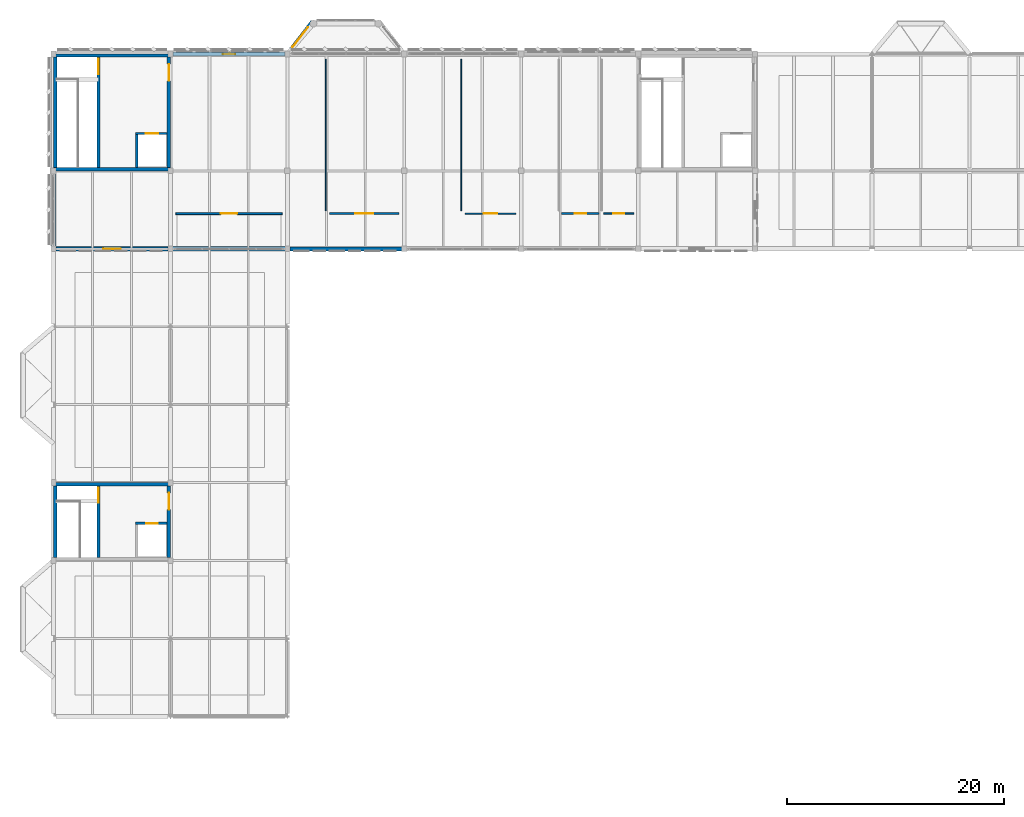
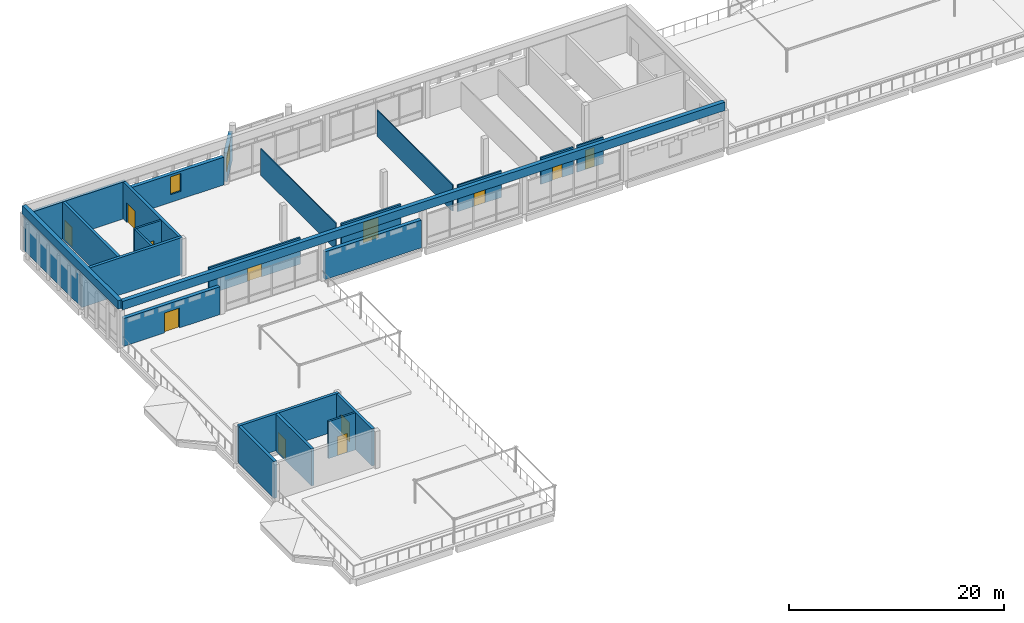
# One storey, part 25 of 33: 25 walls, 12 doors, 2 windows, 14 openings.
"""IFC4 building model written with IfcOpenShell, lengths in metres."""

from ifc_helpers import new_model, si_unit, direction, frame, frame_2d, origin, place, context, subcontext, project, spatial, rectangle, extrude, material, layer, layer_set, type_object, element, fill, save


model = new_model("IFC4")

# Units and contexts
model_context = context("Model", 3, precision=1e-05, world=origin(), true_north=direction((0.0, 1.0)))
body_context = subcontext(model_context, "Body", "Model", "MODEL_VIEW")
ifc_project = project(units=[si_unit("LENGTHUNIT", "METRE"), si_unit("AREAUNIT", "SQUARE_METRE"), si_unit("VOLUMEUNIT", "CUBIC_METRE"), si_unit("PLANEANGLEUNIT", "RADIAN"), si_unit("MASSUNIT", "GRAM", prefix="KILO")], contexts=[model_context])

# Site, building, storey
site_placement = place(None, origin())
site = spatial("IfcSite", under=ifc_project, at=site_placement, CompositionType="ELEMENT")
building_placement = place(site_placement, origin())
building = spatial("IfcBuilding", under=site, at=building_placement, Name="Lusvemor Sports Hall", CompositionType="ELEMENT")
storey_placement = place(building_placement, frame((0.0, 0.0, 19.199951171875)))
storey = spatial("IfcBuildingStorey", under=building, at=storey_placement, Name="L04", CompositionType="ELEMENT", Elevation=19.199951171875)

# Wall, opening, window
ifc_material_1 = material(Name="Warm terracotta Art Nouveau ceramic cladding on Concrete C40/50 backing", Category="masonry")
ifc_layer_1 = layer(ifc_material_1, 0.3798828125)
ifc_layer_set_1 = layer_set([ifc_layer_1], Name="Warm terracotta Art Nouveau ceramic cladding on Concrete C40/50 backing")
wall_type_1 = type_object("IfcWallType", Name="EW_UPPER_250", PredefinedType="STANDARD", material=ifc_layer_set_1)
wall_1_placement = place(storey_placement, frame((11.035888671875, 115.199951171875, 0.0), z_axis=(0.0, 0.0, 1.0), x_axis=(1.0, 0.0, 0.0)))
wall_1 = element("IfcWall", 1, at=wall_1_placement, inside=storey, type_object=wall_type_1, Name="Exterior Wall EW-L04-N-1-1", PredefinedType="STANDARD", context=body_context, shape_type="SweptSolid", body=[
    extrude(rectangle(XDim=10.328125, YDim=0.3798828125, at=frame_2d((5.1640625, 0.0))), origin(), (0.0, 0.0, 1.0), 3.155029296875),
])
opening_1_placement = place(wall_1_placement, frame((4.60400390625, 0.0, 0.89990234375)))
opening_1 = element("IfcOpeningElement", 2, at=opening_1_placement, cuts=wall_1, Name="Opening WN24", PredefinedType="OPENING", context=body_context, shape_type="SweptSolid", body=[
    extrude(rectangle(XDim=1.1201171875, YDim=2.02001953125, at=frame_2d((0.56005859375, 1.010009765625))), frame((0.0, 0.18994140625, 0.0), z_axis=(0.0, -1.0, 0.0), x_axis=(1.0, 0.0, 0.0)), (0.0, 0.0, 1.0), 0.3798828125),
])
ifc_material_2 = material(Name="Solar-control laminated double glazing", Category="glass")
window_type_1 = type_object("IfcWindowType", Name="WIN_24", PartitioningType="SINGLE_PANEL", PredefinedType="WINDOW", material=ifc_material_2)
window_1_placement = place(opening_1_placement, origin())
window_1 = element("IfcWindow", 3, at=window_1_placement, inside=storey, type_object=window_type_1, Name="Wing Window L04-N-1-1", OverallHeight=2.02001953125, OverallWidth=1.1201171875, PartitioningType="SINGLE_PANEL", PredefinedType="WINDOW", context=body_context, shape_type="SweptSolid", body=[
    extrude(rectangle(XDim=1.1201171875, YDim=2.02001953125, at=frame_2d((0.56005859375, 1.010009765625))), frame((0.0, 0.030029296875, 0.0), z_axis=(0.0, -1.0, 0.0), x_axis=(1.0, 0.0, 0.0)), (0.0, 0.0, 1.0), 0.06005859375),
])
fill(opening_1, window_1)

# Wall, opening, door
wall_2_placement = place(storey_placement, frame((10.553955078125, 97.199951171875, 0.0), z_axis=(0.0, 0.0, 1.0), x_axis=(-1.0, 0.0, 0.0)))
wall_2 = element("IfcWall", 4, at=wall_2_placement, inside=storey, type_object=wall_type_1, Name="Exterior Wall EW-L04-S-3-0", PredefinedType="STANDARD", context=body_context, shape_type="SweptSolid", body=[
    extrude(rectangle(XDim=10.31787109375, YDim=0.3798828125, at=frame_2d((5.158935546875, 0.0))), origin(), (0.0, 0.0, 1.0), 3.155029296875),
])
opening_2_placement = place(wall_2_placement, frame((4.343994140625, 0.0, 0.0)))
opening_2 = element("IfcOpeningElement", 5, at=opening_2_placement, cuts=wall_2, Name="Opening ED09", PredefinedType="OPENING", context=body_context, shape_type="SweptSolid", body=[
    extrude(rectangle(XDim=1.6201171875, YDim=2.260009765625, at=frame_2d((0.81005859375, 1.1298828125))), frame((0.0, 0.18994140625, 0.0), z_axis=(0.0, -1.0, 0.0), x_axis=(1.0, 0.0, 0.0)), (0.0, 0.0, 1.0), 0.3798828125),
])
ifc_material_3 = material(Name="Thermally broken bronze-anodized aluminium", Category="aluminium")
door_type_1 = type_object("IfcDoorType", Name="EDR_GARDEN_162x226", OperationType="NOTDEFINED", PredefinedType="DOOR", material=ifc_material_3)
door_1_placement = place(opening_2_placement, origin())
door_1 = element("IfcDoor", 6, at=door_1_placement, inside=storey, type_object=door_type_1, Name="DR-036", OperationType="SINGLE_SWING_RIGHT", OverallHeight=2.260009765625, OverallWidth=1.6201171875, PredefinedType="DOOR", context=body_context, shape_type="SweptSolid", body=[
    extrude(rectangle(XDim=1.6201171875, YDim=2.260009765625, at=frame_2d((0.81005859375, 1.1298828125))), frame((0.0, 0.02490234375, 0.0), z_axis=(0.0, -1.0, 0.0), x_axis=(1.0, 0.0, 0.0)), (0.0, 0.0, 1.0), 0.050048828125),
])
fill(opening_2, door_1)

# Wall
wall_3_placement = place(storey_placement, frame((32.1640625, 97.199951171875, 0.0), z_axis=(0.0, 0.0, 1.0), x_axis=(-1.0, 0.0, 0.0)))
element("IfcWall", 7, at=wall_3_placement, inside=storey, type_object=wall_type_1, Name="Exterior Wall EW-L04-S-3-2", PredefinedType="STANDARD", context=body_context, shape_type="SweptSolid", body=[
    extrude(rectangle(XDim=10.328125, YDim=0.3798828125, at=frame_2d((5.1640625, 0.0))), origin(), (0.0, 0.0, 1.0), 3.155029296875),
])

# Wall, opening, window
ifc_material_4 = material(Name="Emerald polychrome glazed ceramic cladding on Concrete C40/50 backing", Category="concrete")
ifc_layer_2 = layer(ifc_material_4, 0.364990234375)
ifc_layer_set_2 = layer_set([ifc_layer_2], Name="Emerald polychrome glazed ceramic cladding on Concrete C40/50 backing")
wall_type_2 = type_object("IfcWallType", Name="EW_WAVE_CER_365", PredefinedType="STANDARD", material=ifc_layer_set_2)
wall_4_placement = place(storey_placement, frame((21.746826171875, 115.389892578125, 0.0), z_axis=(0.0, 0.0, 1.0), x_axis=(0.612206385164, 0.790698009334, 0.0)))
wall_4 = element("IfcWall", 8, at=wall_4_placement, inside=storey, type_object=wall_type_2, Name="Art Nouveau Bow Wall EW-BOW-N1-L04-1", PredefinedType="STANDARD", context=body_context, shape_type="SweptSolid", body=[
    extrude(rectangle(XDim=3.560302734375, YDim=0.364990234375, at=frame_2d((1.7802734375, 0.0))), origin(), (0.0, 0.0, 1.0), 3.280029296875),
])
opening_3_placement = place(wall_4_placement, frame((0.56005859375, 0.0, 0.699951171875)))
opening_3 = element("IfcOpeningElement", 9, at=opening_3_placement, cuts=wall_4, Name="Opening WN21", PredefinedType="OPENING", context=body_context, shape_type="SweptSolid", body=[
    extrude(rectangle(XDim=2.320068359375, YDim=1.52001953125, at=frame_2d((1.16015625, 0.760009765625))), frame((0.0, 0.1826171875, 0.0), z_axis=(0.0, -1.0, 0.0), x_axis=(1.0, 0.0, 0.0)), (0.0, 0.0, 1.0), 0.364990234375),
])
ifc_material_5 = material(Name="Solar-control laminated double glazing", Category="glass")
window_type_2 = type_object("IfcWindowType", Name="WIN_21", PartitioningType="SINGLE_PANEL", PredefinedType="WINDOW", material=ifc_material_5)
window_2_placement = place(opening_3_placement, origin())
window_2 = element("IfcWindow", 10, at=window_2_placement, inside=storey, type_object=window_type_2, Name="Art Nouveau Bow Window BOW-N1 L04-1", OverallHeight=1.52001953125, OverallWidth=2.320068359375, PartitioningType="SINGLE_PANEL", PredefinedType="WINDOW", context=body_context, shape_type="SweptSolid", body=[
    extrude(rectangle(XDim=2.320068359375, YDim=1.52001953125, at=frame_2d((1.16015625, 0.760009765625))), frame((0.0, 0.030029296875, 0.0), z_axis=(0.0, -1.0, 0.0), x_axis=(1.0, 0.0, 0.0)), (0.0, 0.0, 1.0), 0.06005859375),
])
fill(opening_3, window_2)

# Wall, opening, door
ifc_material_6 = material(Name="Double-leaf acoustic gypsum board on metal studs")
ifc_layer_3 = layer(ifc_material_6, 0.179931640625)
ifc_layer_set_3 = layer_set([ifc_layer_3], Name="Double-leaf acoustic gypsum board on metal studs")
wall_type_3 = type_object("IfcWallType", Name="IW_ACOUST_184", PredefinedType="STANDARD", material=ifc_layer_set_3)
wall_5_placement = place(storey_placement, frame((11.300048828125, 100.449951171875, 0.0), z_axis=(0.0, 0.0, 1.0), x_axis=(1.0, 0.0, 0.0)))
wall_5 = element("IfcWall", 11, at=wall_5_placement, inside=storey, type_object=wall_type_3, Name="Partition IW-L04-CNN-YOGA1", PredefinedType="STANDARD", context=body_context, shape_type="SweptSolid", body=[
    extrude(rectangle(XDim=9.800048828125, YDim=0.179931640625, at=frame_2d((4.89990234375, 0.0))), origin(), (0.0, 0.0, 1.0), 3.0),
])
opening_4_placement = place(wall_5_placement, frame((4.139892578125, 0.0, 0.0)))
opening_4 = element("IfcOpeningElement", 12, at=opening_4_placement, cuts=wall_5, Name="Opening ID21", PredefinedType="OPENING", context=body_context, shape_type="SweptSolid", body=[
    extrude(rectangle(XDim=1.52001953125, YDim=2.260009765625, at=frame_2d((0.760009765625, 1.1298828125))), frame((0.0, 0.08984375, 0.0), z_axis=(0.0, -1.0, 0.0), x_axis=(1.0, 0.0, 0.0)), (0.0, 0.0, 1.0), 0.179931640625),
])
ifc_material_7 = material(Name="Acoustic solid-core hardwood door leaf in steel frame", Category="steel")
door_type_2 = type_object("IfcDoorType", Name="IDR_YOGA_152", OperationType="NOTDEFINED", PredefinedType="DOOR", material=ifc_material_7)
door_2_placement = place(opening_4_placement, origin())
door_2 = element("IfcDoor", 13, at=door_2_placement, inside=storey, type_object=door_type_2, Name="DR-205", OperationType="SINGLE_SWING_LEFT", OverallHeight=2.260009765625, OverallWidth=1.52001953125, PredefinedType="DOOR", context=body_context, shape_type="SweptSolid", body=[
    extrude(rectangle(XDim=1.52001953125, YDim=2.260009765625, at=frame_2d((0.760009765625, 1.1298828125))), frame((0.0, 0.02490234375, 0.0), z_axis=(0.0, -1.0, 0.0), x_axis=(1.0, 0.0, 0.0)), (0.0, 0.0, 1.0), 0.050048828125),
])
fill(opening_4, door_2)

ifc_material_8 = material(Name="Double-leaf acoustic gypsum board on metal studs")
ifc_layer_4 = layer(ifc_material_8, 0.199951171875)
ifc_layer_set_4 = layer_set([ifc_layer_4], Name="Double-leaf acoustic gypsum board on metal studs")
wall_type_4 = type_object("IfcWallType", Name="IW_ACOUST_202", PredefinedType="STANDARD", material=ifc_layer_set_4)
wall_6_placement = place(storey_placement, frame((25.5, 100.449951171875, 0.0), z_axis=(0.0, 0.0, 1.0), x_axis=(1.0, 0.0, 0.0)))
wall_6 = element("IfcWall", 14, at=wall_6_placement, inside=storey, type_object=wall_type_4, Name="Partition IW-L04-CNN-DANCE5", PredefinedType="STANDARD", context=body_context, shape_type="SweptSolid", body=[
    extrude(rectangle(XDim=6.39990234375, YDim=0.199951171875, at=frame_2d((3.199951171875, 0.0))), origin(), (0.0, 0.0, 1.0), 3.0),
])
opening_5_placement = place(wall_6_placement, frame((2.3701171875, 0.0, 0.0)))
opening_5 = element("IfcOpeningElement", 15, at=opening_5_placement, cuts=wall_6, Name="Opening ID06", PredefinedType="OPENING", context=body_context, shape_type="SweptSolid", body=[
    extrude(rectangle(XDim=1.659912109375, YDim=2.320068359375, at=frame_2d((0.830078125, 1.16015625))), frame((0.0, 0.10009765625, 0.0), z_axis=(0.0, -1.0, 0.0), x_axis=(1.0, 0.0, 0.0)), (0.0, 0.0, 1.0), 0.199951171875),
])
ifc_material_9 = material(Name="Acoustic solid-core hardwood door leaf in steel frame", Category="steel")
door_type_3 = type_object("IfcDoorType", Name="IDR_DANCE_166", OperationType="NOTDEFINED", PredefinedType="DOOR", material=ifc_material_9)
door_3_placement = place(opening_5_placement, origin())
door_3 = element("IfcDoor", 16, at=door_3_placement, inside=storey, type_object=door_type_3, Name="DR-206", OperationType="SINGLE_SWING_RIGHT", OverallHeight=2.320068359375, OverallWidth=1.659912109375, PredefinedType="DOOR", context=body_context, shape_type="SweptSolid", body=[
    extrude(rectangle(XDim=1.659912109375, YDim=2.320068359375, at=frame_2d((0.830078125, 1.16015625))), frame((0.0, 0.02490234375, 0.0), z_axis=(0.0, -1.0, 0.0), x_axis=(1.0, 0.0, 0.0)), (0.0, 0.0, 1.0), 0.050048828125),
])
fill(opening_5, door_3)

# Walls
ifc_material_10 = material(Name="Double-leaf acoustic gypsum board on metal studs")
ifc_layer_5 = layer(ifc_material_10, 0.10009765625)
ifc_layer_set_5 = layer_set([ifc_layer_5], Name="Double-leaf acoustic gypsum board on metal studs")
wall_type_5 = type_object("IfcWallType", Name="IW_PART_108", PredefinedType="STANDARD", material=ifc_layer_set_5)
for number, where, z_axis, x_axis, name in (
    (17, (25.14990234375, 100.699951171875, 0.0), (0.0, 0.0, 1.0), (0.0, 1.0, 0.0), "Partition IW-L04-CNNDIV-25"),
    (18, (37.64990234375, 100.699951171875, 0.0), (0.0, 0.0, 1.0), (0.0, 1.0, 0.0), "Partition IW-L04-CNNDIV-37"),
):
    element("IfcWall", number, at=place(storey_placement, frame(where, z_axis=z_axis, x_axis=x_axis)), inside=storey, type_object=wall_type_5, Name=name, PredefinedType="STANDARD", context=body_context, shape_type="SweptSolid", body=[
        extrude(rectangle(XDim=14.0, YDim=0.10009765625, at=frame_2d((7.0, 0.0))), origin(), (0.0, 0.0, 1.0), 3.0),
    ])

# Wall, opening, door
ifc_material_11 = material(Name="Double-leaf acoustic gypsum board on metal studs")
ifc_layer_6 = layer(ifc_material_11, 0.14990234375)
ifc_layer_set_6 = layer_set([ifc_layer_6], Name="Double-leaf acoustic gypsum board on metal studs")
wall_type_6 = type_object("IfcWallType", Name="IW_PART_152", PredefinedType="STANDARD", material=ifc_layer_set_6)
wall_7_placement = place(storey_placement, frame((38.0, 100.449951171875, 0.0), z_axis=(0.0, 0.0, 1.0), x_axis=(1.0, 0.0, 0.0)))
wall_7 = element("IfcWall", 19, at=wall_7_placement, inside=storey, type_object=wall_type_6, Name="Partition IW-L04-CNN-NUTR", PredefinedType="STANDARD", context=body_context, shape_type="SweptSolid", body=[
    extrude(rectangle(XDim=4.699951171875, YDim=0.14990234375, at=frame_2d((2.35009765625, 0.0))), origin(), (0.0, 0.0, 1.0), 3.0),
])
opening_6_placement = place(wall_7_placement, frame((1.739990234375, 0.0, 0.0)))
opening_6 = element("IfcOpeningElement", 20, at=opening_6_placement, cuts=wall_7, Name="Opening ID22", PredefinedType="OPENING", context=body_context, shape_type="SweptSolid", body=[
    extrude(rectangle(XDim=1.219970703125, YDim=2.159912109375, at=frame_2d((0.60986328125, 1.080078125))), frame((0.0, 0.074951171875, 0.0), z_axis=(0.0, -1.0, 0.0), x_axis=(1.0, 0.0, 0.0)), (0.0, 0.0, 1.0), 0.14990234375),
])
ifc_material_12 = material(Name="Acoustic solid-core hardwood door leaf in steel frame", Category="steel")
door_type_4 = type_object("IfcDoorType", Name="IDR_NUTR_122", OperationType="NOTDEFINED", PredefinedType="DOOR", material=ifc_material_12)
door_4_placement = place(opening_6_placement, origin())
door_4 = element("IfcDoor", 21, at=door_4_placement, inside=storey, type_object=door_type_4, Name="DR-207", OperationType="SINGLE_SWING_LEFT", OverallHeight=2.159912109375, OverallWidth=1.219970703125, PredefinedType="DOOR", context=body_context, shape_type="SweptSolid", body=[
    extrude(rectangle(XDim=1.219970703125, YDim=2.159912109375, at=frame_2d((0.60986328125, 1.080078125))), frame((0.0, 0.02490234375, 0.0), z_axis=(0.0, -1.0, 0.0), x_axis=(1.0, 0.0, 0.0)), (0.0, 0.0, 1.0), 0.050048828125),
])
fill(opening_6, door_4)

ifc_material_13 = material(Name="Concrete C40/50", Category="concrete")
ifc_layer_7 = layer(ifc_material_13, 0.2099609375)
ifc_layer_set_7 = layer_set([ifc_layer_7], Name="Concrete C40/50")
wall_type_7 = type_object("IfcWallType", Name="IW_SHFT_212", PredefinedType="STANDARD", material=ifc_layer_set_7)
wall_8_placement = place(storey_placement, frame((7.590087890625, 107.85009765625, 0.0), z_axis=(0.0, 0.0, 1.0), x_axis=(1.0, 0.0, 0.0)))
wall_8 = element("IfcWall", 22, at=wall_8_placement, inside=storey, type_object=wall_type_7, Name="Lift LF-01 Shaft Front Wall (L04)", PredefinedType="STANDARD", context=body_context, shape_type="SweptSolid", body=[
    extrude(rectangle(XDim=2.909912109375, YDim=0.2099609375, at=frame_2d((1.455078125, 0.0))), origin(), (0.0, 0.0, 1.0), 4.199951171875),
])
opening_7_placement = place(wall_8_placement, frame((0.93994140625, 0.0, 0.0)))
opening_7 = element("IfcOpeningElement", 23, at=opening_7_placement, cuts=wall_8, Name="Opening LD-01", PredefinedType="OPENING", context=body_context, shape_type="SweptSolid", body=[
    extrude(rectangle(XDim=1.139892578125, YDim=2.159912109375, at=frame_2d((0.56982421875, 1.080078125))), frame((0.0, 0.10498046875, 0.0), z_axis=(0.0, -1.0, 0.0), x_axis=(1.0, 0.0, 0.0)), (0.0, 0.0, 1.0), 0.2099609375),
])
ifc_material_14 = material(Name="Brushed stainless-steel sliding lift landing door", Category="steel")
door_type_5 = type_object("IfcDoorType", Name="LIFT_DOOR_FF_114", OperationType="NOTDEFINED", PredefinedType="DOOR", material=ifc_material_14)
door_5_placement = place(opening_7_placement, origin())
door_5 = element("IfcDoor", 24, at=door_5_placement, inside=storey, type_object=door_type_5, Name="DR-041", OperationType="SLIDING_TO_LEFT", OverallHeight=2.159912109375, OverallWidth=1.139892578125, PredefinedType="DOOR", context=body_context, shape_type="SweptSolid", body=[
    extrude(rectangle(XDim=1.139892578125, YDim=2.159912109375, at=frame_2d((0.56982421875, 1.080078125))), frame((0.0, 0.02490234375, 0.0), z_axis=(0.0, -1.0, 0.0), x_axis=(1.0, 0.0, 0.0)), (0.0, 0.0, 1.0), 0.050048828125),
])
fill(opening_7, door_5)

# Wall
wall_9_placement = place(storey_placement, frame((7.695068359375, 104.699951171875, 0.0), z_axis=(0.0, 0.0, 1.0), x_axis=(0.0, 1.0, 0.0)))
element("IfcWall", 25, at=wall_9_placement, inside=storey, type_object=wall_type_7, Name="Lift LF-01 Shaft Side Wall (L04)", PredefinedType="STANDARD", context=body_context, shape_type="SweptSolid", body=[
    extrude(rectangle(XDim=3.045166015625, YDim=0.2099609375, at=frame_2d((1.5224609375, 0.0))), origin(), (0.0, 0.0, 1.0), 4.199951171875),
])

# Wall, opening, door
wall_10_placement = place(storey_placement, frame((7.590087890625, 71.85009765625, 0.0), z_axis=(0.0, 0.0, 1.0), x_axis=(1.0, 0.0, 0.0)))
wall_10 = element("IfcWall", 26, at=wall_10_placement, inside=storey, type_object=wall_type_7, Name="Lift LP-02 Shaft Front Wall (L04)", PredefinedType="STANDARD", context=body_context, shape_type="SweptSolid", body=[
    extrude(rectangle(XDim=2.909912109375, YDim=0.2099609375, at=frame_2d((1.455078125, 0.0))), origin(), (0.0, 0.0, 1.0), 4.199951171875),
])
opening_8_placement = place(wall_10_placement, frame((0.989990234375, 0.0, 0.0)))
opening_8 = element("IfcOpeningElement", 27, at=opening_8_placement, cuts=wall_10, Name="Opening LD-02", PredefinedType="OPENING", context=body_context, shape_type="SweptSolid", body=[
    extrude(rectangle(XDim=1.0400390625, YDim=2.159912109375, at=frame_2d((0.52001953125, 1.080078125))), frame((0.0, 0.10498046875, 0.0), z_axis=(0.0, -1.0, 0.0), x_axis=(1.0, 0.0, 0.0)), (0.0, 0.0, 1.0), 0.2099609375),
])
ifc_material_15 = material(Name="Brushed stainless-steel sliding lift landing door", Category="steel")
door_type_6 = type_object("IfcDoorType", Name="LIFT_DOOR_PAX_104", OperationType="NOTDEFINED", PredefinedType="DOOR", material=ifc_material_15)
door_6_placement = place(opening_8_placement, origin())
door_6 = element("IfcDoor", 28, at=door_6_placement, inside=storey, type_object=door_type_6, Name="DR-072", OperationType="SLIDING_TO_LEFT", OverallHeight=2.159912109375, OverallWidth=1.0400390625, PredefinedType="DOOR", context=body_context, shape_type="SweptSolid", body=[
    extrude(rectangle(XDim=1.0400390625, YDim=2.159912109375, at=frame_2d((0.52001953125, 1.080078125))), frame((0.0, 0.02490234375, 0.0), z_axis=(0.0, -1.0, 0.0), x_axis=(1.0, 0.0, 0.0)), (0.0, 0.0, 1.0), 0.050048828125),
])
fill(opening_8, door_6)

# Walls
ifc_material_16 = material(Name="Precast concrete C40/50", Category="concrete")
ifc_layer_8 = layer(ifc_material_16, 0.43994140625)
ifc_layer_set_8 = layer_set([ifc_layer_8], Name="Precast concrete C40/50")
wall_type_8 = type_object("IfcWallType", Name="PARAPET_ROOF_190", PredefinedType="PARAPET", material=ifc_layer_set_8)
wall_11_placement = place(storey_placement, frame((0.0, 97.300048828125, 4.199951171875), z_axis=(0.0, 0.0, 1.0), x_axis=(0.0, 1.0, 0.0)))
element("IfcWall", 29, at=wall_11_placement, inside=storey, type_object=wall_type_8, Name="Exterior Wall PW-V5NW-W", PredefinedType="PARAPET", context=body_context, shape_type="SweptSolid", body=[
    extrude(rectangle(XDim=17.800048828125, YDim=0.43994140625, at=frame_2d((8.89990234375, 0.0))), origin(), (0.0, 0.0, 1.0), 0.9501953125),
])
wall_12_placement = place(storey_placement, frame((64.699951171875, 97.199951171875, 4.199951171875), z_axis=(0.0, 0.0, 1.0), x_axis=(-1.0, 0.0, 0.0)))
element("IfcWall", 30, at=wall_12_placement, inside=storey, type_object=wall_type_8, Name="Exterior Wall PW-V5NW-S", PredefinedType="PARAPET", context=body_context, shape_type="SweptSolid", body=[
    extrude(rectangle(XDim=64.599853515625, YDim=0.43994140625, at=frame_2d((32.2998046875, 0.0))), origin(), (0.0, 0.0, 1.0), 0.9501953125),
])

# Wall, opening, door
ifc_material_17 = material(Name="Moisture-resistant tiled plumbing service wall")
ifc_layer_9 = layer(ifc_material_17, 0.159912109375)
ifc_layer_set_9 = layer_set([ifc_layer_9], Name="Moisture-resistant tiled plumbing service wall")
wall_type_9 = type_object("IfcWallType", Name="PW_WET_160", PredefinedType="PLUMBINGWALL", material=ifc_layer_set_9)
wall_13_placement = place(storey_placement, frame((50.800048828125, 100.449951171875, 0.0), z_axis=(0.0, 0.0, 1.0), x_axis=(1.0, 0.0, 0.0)))
wall_13 = element("IfcWall", 31, at=wall_13_placement, inside=storey, type_object=wall_type_9, Name="Partition IW-L04-CNN-AWCN", PredefinedType="PLUMBINGWALL", context=body_context, shape_type="SweptSolid", body=[
    extrude(rectangle(XDim=2.800048828125, YDim=0.159912109375, at=frame_2d((1.39990234375, 0.0))), origin(), (0.0, 0.0, 1.0), 3.0),
])
opening_9_placement = place(wall_13_placement, frame((0.89990234375, 0.0, 0.0)))
opening_9 = element("IfcOpeningElement", 32, at=opening_9_placement, cuts=wall_13, Name="Opening ID11", PredefinedType="OPENING", context=body_context, shape_type="SweptSolid", body=[
    extrude(rectangle(XDim=1.0, YDim=2.14990234375, at=frame_2d((0.5, 1.074951171875))), frame((0.0, 0.080078125, 0.0), z_axis=(0.0, -1.0, 0.0), x_axis=(1.0, 0.0, 0.0)), (0.0, 0.0, 1.0), 0.159912109375),
])
ifc_material_18 = material(Name="Acoustic solid-core hardwood door leaf in steel frame", Category="steel")
door_type_7 = type_object("IfcDoorType", Name="IDR_AWC_100", OperationType="NOTDEFINED", PredefinedType="DOOR", material=ifc_material_18)
door_7_placement = place(opening_9_placement, origin())
door_7 = element("IfcDoor", 33, at=door_7_placement, inside=storey, type_object=door_type_7, Name="DR-209", OperationType="SINGLE_SWING_LEFT", OverallHeight=2.14990234375, OverallWidth=1.0, PredefinedType="DOOR", context=body_context, shape_type="SweptSolid", body=[
    extrude(rectangle(XDim=1.0, YDim=2.14990234375, at=frame_2d((0.5, 1.074951171875))), frame((0.0, 0.02490234375, 0.0), z_axis=(0.0, -1.0, 0.0), x_axis=(1.0, 0.0, 0.0)), (0.0, 0.0, 1.0), 0.050048828125),
])
fill(opening_9, door_7)

ifc_material_19 = material(Name="Moisture-resistant tiled plumbing service wall")
ifc_layer_10 = layer(ifc_material_19, 0.18994140625)
ifc_layer_set_10 = layer_set([ifc_layer_10], Name="Moisture-resistant tiled plumbing service wall")
wall_type_10 = type_object("IfcWallType", Name="PW_WET_194", PredefinedType="PLUMBINGWALL", material=ifc_layer_set_10)
wall_14_placement = place(storey_placement, frame((46.89990234375, 100.449951171875, 0.0), z_axis=(0.0, 0.0, 1.0), x_axis=(1.0, 0.0, 0.0)))
wall_14 = element("IfcWall", 34, at=wall_14_placement, inside=storey, type_object=wall_type_10, Name="Partition IW-L04-CNN-CHGL04", PredefinedType="PLUMBINGWALL", context=body_context, shape_type="SweptSolid", body=[
    extrude(rectangle(XDim=3.5, YDim=0.18994140625, at=frame_2d((1.75, 0.0))), origin(), (0.0, 0.0, 1.0), 3.0),
])
opening_10_placement = place(wall_14_placement, frame((1.219970703125, 0.0, 0.0)))
opening_10 = element("IfcOpeningElement", 35, at=opening_10_placement, cuts=wall_14, Name="Opening ID10", PredefinedType="OPENING", context=body_context, shape_type="SweptSolid", body=[
    extrude(rectangle(XDim=1.06005859375, YDim=2.139892578125, at=frame_2d((0.530029296875, 1.06982421875))), frame((0.0, 0.094970703125, 0.0), z_axis=(0.0, -1.0, 0.0), x_axis=(1.0, 0.0, 0.0)), (0.0, 0.0, 1.0), 0.18994140625),
])
ifc_material_20 = material(Name="Acoustic solid-core hardwood door leaf in steel frame", Category="steel")
door_type_8 = type_object("IfcDoorType", Name="IDR_CHG_106", OperationType="NOTDEFINED", PredefinedType="DOOR", material=ifc_material_20)
door_8_placement = place(opening_10_placement, origin())
door_8 = element("IfcDoor", 36, at=door_8_placement, inside=storey, type_object=door_type_8, Name="DR-208", OperationType="SINGLE_SWING_RIGHT", OverallHeight=2.139892578125, OverallWidth=1.06005859375, PredefinedType="DOOR", context=body_context, shape_type="SweptSolid", body=[
    extrude(rectangle(XDim=1.06005859375, YDim=2.139892578125, at=frame_2d((0.530029296875, 1.06982421875))), frame((0.0, 0.02490234375, 0.0), z_axis=(0.0, -1.0, 0.0), x_axis=(1.0, 0.0, 0.0)), (0.0, 0.0, 1.0), 0.050048828125),
])
fill(opening_10, door_8)

# Walls
ifc_material_21 = material(Name="Concrete C40/50", Category="concrete")
ifc_layer_11 = layer(ifc_material_21, 0.300048828125)
ifc_layer_set_11 = layer_set([ifc_layer_11], Name="Concrete C40/50")
wall_type_11 = type_object("IfcWallType", Name="WALL_CORE_300_INT", PredefinedType="SHEAR", material=ifc_layer_set_11)
for number, where, z_axis, x_axis, name in (
    (37, (10.800048828125, 104.550048828125, 0.0), (0.0, 0.0, 1.0), (-1.0, 0.0, 0.0), "Core C1 Northwest Shear Wall S (L04)"),
    (38, (0.0, 115.050048828125, 0.0), (0.0, 0.0, 1.0), (1.0, 0.0, 0.0), "Core C1 Northwest Shear Wall N (L04)"),
):
    element("IfcWall", number, at=place(storey_placement, frame(where, z_axis=z_axis, x_axis=x_axis)), inside=storey, type_object=wall_type_11, Name=name, PredefinedType="SHEAR", context=body_context, shape_type="SweptSolid", body=[
        extrude(rectangle(XDim=10.800048828125, YDim=0.300048828125, at=frame_2d((5.39990234375, 0.0))), origin(), (0.0, 0.0, 1.0), 4.199951171875),
    ])

# Wall, opening, door
wall_15_placement = place(storey_placement, frame((10.64990234375, 114.89990234375, 0.0), z_axis=(0.0, 0.0, 1.0), x_axis=(0.0, -1.0, 0.0)))
wall_15 = element("IfcWall", 39, at=wall_15_placement, inside=storey, type_object=wall_type_11, Name="Core C1 Northwest Shear Wall E (L04)", PredefinedType="SHEAR", context=body_context, shape_type="SweptSolid", body=[
    extrude(rectangle(XDim=10.199951171875, YDim=0.300048828125, at=frame_2d((5.10009765625, 0.0))), origin(), (0.0, 0.0, 1.0), 4.199951171875),
])
opening_11_placement = place(wall_15_placement, frame((0.64990234375, 0.0, 0.0)))
opening_11 = element("IfcOpeningElement", 40, at=opening_11_placement, cuts=wall_15, Name="Opening DR-FD60-01", PredefinedType="OPENING", context=body_context, shape_type="SweptSolid", body=[
    extrude(rectangle(XDim=1.5400390625, YDim=2.219970703125, at=frame_2d((0.77001953125, 1.10986328125))), frame((0.0, 0.14990234375, 0.0), z_axis=(0.0, -1.0, 0.0), x_axis=(1.0, 0.0, 0.0)), (0.0, 0.0, 1.0), 0.300048828125),
])
ifc_material_22 = material(Name="Fire-rated insulated painted steel door assembly", Category="steel")
door_type_9 = type_object("IfcDoorType", Name="IDR_LOBBY_FD60_154", OperationType="NOTDEFINED", PredefinedType="DOOR", material=ifc_material_22)
door_9_placement = place(opening_11_placement, origin())
door_9 = element("IfcDoor", 41, at=door_9_placement, inside=storey, type_object=door_type_9, Name="DR-051", OperationType="SINGLE_SWING_RIGHT", OverallHeight=2.219970703125, OverallWidth=1.5400390625, PredefinedType="DOOR", context=body_context, shape_type="SweptSolid", body=[
    extrude(rectangle(XDim=1.5400390625, YDim=2.219970703125, at=frame_2d((0.77001953125, 1.10986328125))), frame((0.0, 0.02490234375, 0.0), z_axis=(0.0, -1.0, 0.0), x_axis=(1.0, 0.0, 0.0)), (0.0, 0.0, 1.0), 0.050048828125),
])
fill(opening_11, door_9)

wall_16_placement = place(storey_placement, frame((4.14990234375, 104.699951171875, 0.0), z_axis=(0.0, 0.0, 1.0), x_axis=(0.0, 1.0, 0.0)))
wall_16 = element("IfcWall", 42, at=wall_16_placement, inside=storey, type_object=wall_type_11, Name="Core C1 Northwest Shear Wall M (L04)", PredefinedType="SHEAR", context=body_context, shape_type="SweptSolid", body=[
    extrude(rectangle(XDim=10.199951171875, YDim=0.300048828125, at=frame_2d((5.10009765625, 0.0))), origin(), (0.0, 0.0, 1.0), 4.199951171875),
])
opening_12_placement = place(wall_16_placement, frame((8.6298828125, 0.0, 0.0)))
opening_12 = element("IfcOpeningElement", 43, at=opening_12_placement, cuts=wall_16, Name="Opening DR-FD90-01", PredefinedType="OPENING", context=body_context, shape_type="SweptSolid", body=[
    extrude(rectangle(XDim=1.419921875, YDim=2.199951171875, at=frame_2d((0.7099609375, 1.10009765625))), frame((0.0, 0.14990234375, 0.0), z_axis=(0.0, -1.0, 0.0), x_axis=(1.0, 0.0, 0.0)), (0.0, 0.0, 1.0), 0.300048828125),
])
ifc_material_23 = material(Name="Fire-rated insulated painted steel door assembly", Category="steel")
door_type_10 = type_object("IfcDoorType", Name="IDR_STAIR_FD90_142", OperationType="NOTDEFINED", PredefinedType="DOOR", material=ifc_material_23)
door_10_placement = place(opening_12_placement, origin())
door_10 = element("IfcDoor", 44, at=door_10_placement, inside=storey, type_object=door_type_10, Name="DR-050", OperationType="SINGLE_SWING_LEFT", OverallHeight=2.199951171875, OverallWidth=1.419921875, PredefinedType="DOOR", context=body_context, shape_type="SweptSolid", body=[
    extrude(rectangle(XDim=1.419921875, YDim=2.199951171875, at=frame_2d((0.7099609375, 1.10009765625))), frame((0.0, 0.02490234375, 0.0), z_axis=(0.0, -1.0, 0.0), x_axis=(1.0, 0.0, 0.0)), (0.0, 0.0, 1.0), 0.050048828125),
])
fill(opening_12, door_10)

# Wall
wall_17_placement = place(storey_placement, frame((0.0, 75.449951171875, 0.0), z_axis=(0.0, 0.0, 1.0), x_axis=(1.0, 0.0, 0.0)))
element("IfcWall", 45, at=wall_17_placement, inside=storey, type_object=wall_type_11, Name="Core C3 West-Central Shear Wall N (L04)", PredefinedType="SHEAR", context=body_context, shape_type="SweptSolid", body=[
    extrude(rectangle(XDim=10.800048828125, YDim=0.300048828125, at=frame_2d((5.39990234375, 0.0))), origin(), (0.0, 0.0, 1.0), 4.199951171875),
])

# Wall, opening, door
wall_18_placement = place(storey_placement, frame((10.64990234375, 75.300048828125, 0.0), z_axis=(0.0, 0.0, 1.0), x_axis=(0.0, -1.0, 0.0)))
wall_18 = element("IfcWall", 46, at=wall_18_placement, inside=storey, type_object=wall_type_11, Name="Core C3 West-Central Shear Wall E (L04)", PredefinedType="SHEAR", context=body_context, shape_type="SweptSolid", body=[
    extrude(rectangle(XDim=6.60009765625, YDim=0.300048828125, at=frame_2d((3.300048828125, 0.0))), origin(), (0.0, 0.0, 1.0), 4.199951171875),
])
opening_13_placement = place(wall_18_placement, frame((0.64990234375, 0.0, 0.0)))
opening_13 = element("IfcOpeningElement", 47, at=opening_13_placement, cuts=wall_18, Name="Opening DR-FD60-01", PredefinedType="OPENING", context=body_context, shape_type="SweptSolid", body=[
    extrude(rectangle(XDim=1.5400390625, YDim=2.219970703125, at=frame_2d((0.77001953125, 1.10986328125))), frame((0.0, 0.14990234375, 0.0), z_axis=(0.0, -1.0, 0.0), x_axis=(1.0, 0.0, 0.0)), (0.0, 0.0, 1.0), 0.300048828125),
])
door_11_placement = place(opening_13_placement, origin())
door_11 = element("IfcDoor", 48, at=door_11_placement, inside=storey, type_object=door_type_9, Name="DR-082", OperationType="SINGLE_SWING_LEFT", OverallHeight=2.219970703125, OverallWidth=1.5400390625, PredefinedType="DOOR", context=body_context, shape_type="SweptSolid", body=[
    extrude(rectangle(XDim=1.5400390625, YDim=2.219970703125, at=frame_2d((0.77001953125, 1.10986328125))), frame((0.0, 0.02490234375, 0.0), z_axis=(0.0, -1.0, 0.0), x_axis=(1.0, 0.0, 0.0)), (0.0, 0.0, 1.0), 0.050048828125),
])
fill(opening_13, door_11)

wall_19_placement = place(storey_placement, frame((4.14990234375, 68.699951171875, 0.0), z_axis=(0.0, 0.0, 1.0), x_axis=(0.0, 1.0, 0.0)))
wall_19 = element("IfcWall", 49, at=wall_19_placement, inside=storey, type_object=wall_type_11, Name="Core C3 West-Central Shear Wall M (L04)", PredefinedType="SHEAR", context=body_context, shape_type="SweptSolid", body=[
    extrude(rectangle(XDim=6.60009765625, YDim=0.300048828125, at=frame_2d((3.300048828125, 0.0))), origin(), (0.0, 0.0, 1.0), 4.199951171875),
])
opening_14_placement = place(wall_19_placement, frame((5.030029296875, 0.0, 0.0)))
opening_14 = element("IfcOpeningElement", 50, at=opening_14_placement, cuts=wall_19, Name="Opening DR-FD90-01", PredefinedType="OPENING", context=body_context, shape_type="SweptSolid", body=[
    extrude(rectangle(XDim=1.419921875, YDim=2.199951171875, at=frame_2d((0.7099609375, 1.10009765625))), frame((0.0, 0.14990234375, 0.0), z_axis=(0.0, -1.0, 0.0), x_axis=(1.0, 0.0, 0.0)), (0.0, 0.0, 1.0), 0.300048828125),
])
door_12_placement = place(opening_14_placement, origin())
door_12 = element("IfcDoor", 51, at=door_12_placement, inside=storey, type_object=door_type_10, Name="DR-081", OperationType="SINGLE_SWING_RIGHT", OverallHeight=2.199951171875, OverallWidth=1.419921875, PredefinedType="DOOR", context=body_context, shape_type="SweptSolid", body=[
    extrude(rectangle(XDim=1.419921875, YDim=2.199951171875, at=frame_2d((0.7099609375, 1.10009765625))), frame((0.0, 0.02490234375, 0.0), z_axis=(0.0, -1.0, 0.0), x_axis=(1.0, 0.0, 0.0)), (0.0, 0.0, 1.0), 0.050048828125),
])
fill(opening_14, door_12)

# Walls
ifc_material_24 = material(Name="Concrete C40/50", Category="concrete")
ifc_layer_12 = layer(ifc_material_24, 0.324951171875)
ifc_layer_set_12 = layer_set([ifc_layer_12], Name="Concrete C40/50")
wall_type_12 = type_object("IfcWallType", Name="WALL_CORE_325_EXT", PredefinedType="SHEAR", material=ifc_layer_set_12)
wall_20_placement = place(storey_placement, frame((0.14990234375, 104.699951171875, 0.0), z_axis=(0.0, 0.0, 1.0), x_axis=(0.0, 1.0, 0.0)))
element("IfcWall", 52, at=wall_20_placement, inside=storey, type_object=wall_type_12, Name="Core C1 Northwest Shear Wall W (L04)", PredefinedType="SHEAR", context=body_context, shape_type="SweptSolid", body=[
    extrude(rectangle(XDim=10.199951171875, YDim=0.324951171875, at=frame_2d((5.10009765625, 0.0))), origin(), (0.0, 0.0, 1.0), 4.199951171875),
])
wall_21_placement = place(storey_placement, frame((0.14990234375, 68.699951171875, 0.0), z_axis=(0.0, 0.0, 1.0), x_axis=(0.0, 1.0, 0.0)))
element("IfcWall", 53, at=wall_21_placement, inside=storey, type_object=wall_type_12, Name="Core C3 West-Central Shear Wall W (L04)", PredefinedType="SHEAR", context=body_context, shape_type="SweptSolid", body=[
    extrude(rectangle(XDim=6.60009765625, YDim=0.324951171875, at=frame_2d((3.300048828125, 0.0))), origin(), (0.0, 0.0, 1.0), 4.199951171875),
])

save(model, "model.ifc")
